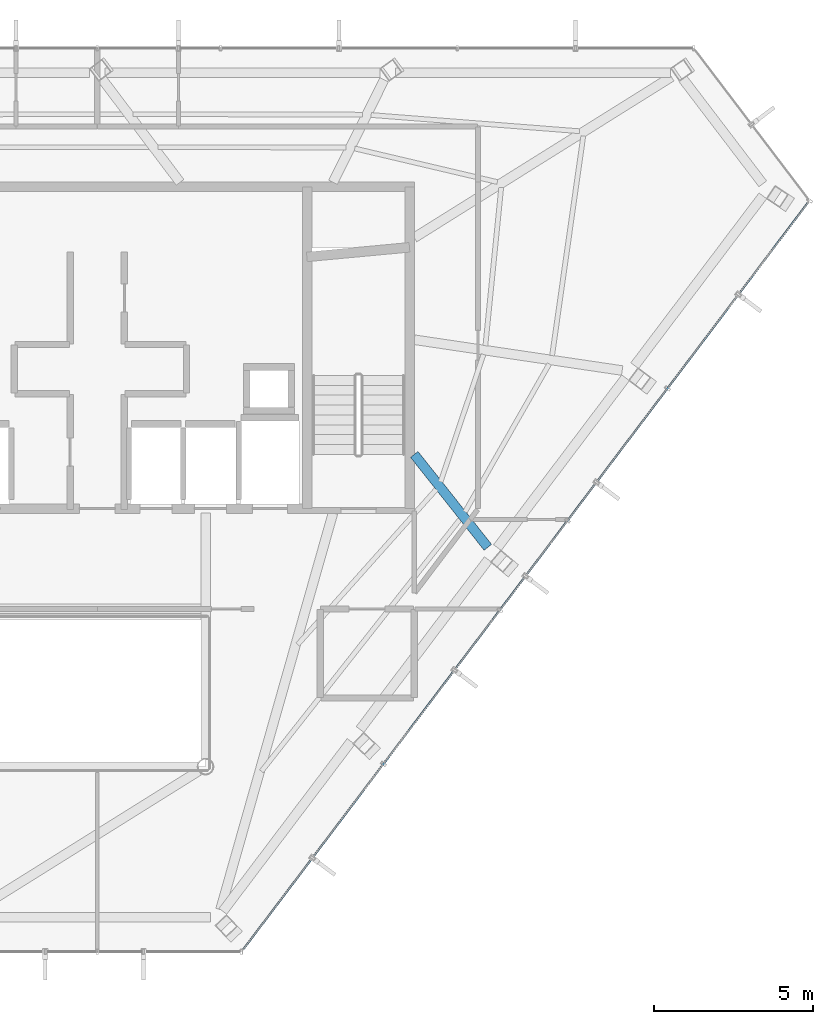
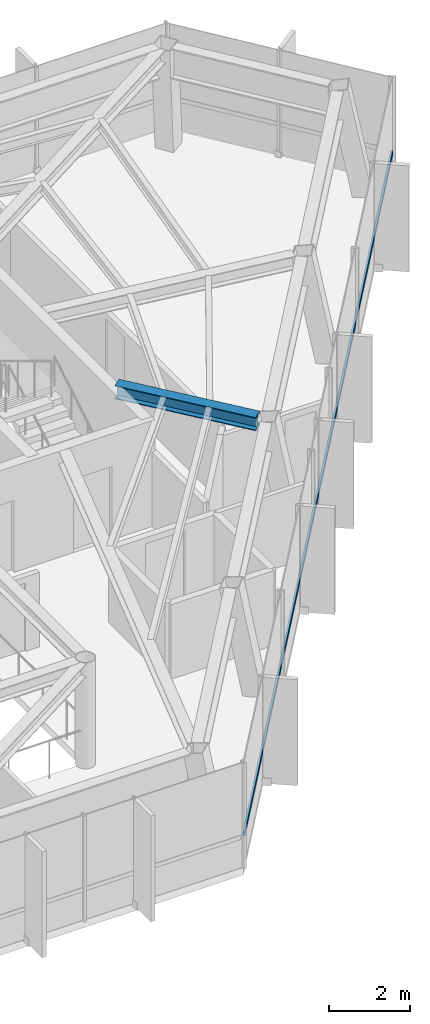
# One storey, part 17 of 25: 1 beam, 1 member, 1 element without a shape of its own.
"""IFC4 building model written with IfcOpenShell, lengths in metres."""

from ifc_helpers import new_model, si_unit, direction, frame, origin, origin_2d, place, context, subcontext, project, spatial, hollow_rectangle, i_section, extrude, material, layer, layer_set, material_profile, profile_set, type_object, element, aggregate, save


model = new_model("IFC4")

# Units and contexts
model_context = context("Model", 3, precision=1e-05, world=origin(), true_north=direction((0.0, 1.0)))
body_context = subcontext(model_context, "Body", "Model", "MODEL_VIEW")
ifc_project = project(units=[si_unit("LENGTHUNIT", "METRE"), si_unit("AREAUNIT", "SQUARE_METRE"), si_unit("VOLUMEUNIT", "CUBIC_METRE"), si_unit("PLANEANGLEUNIT", "RADIAN"), si_unit("MASSUNIT", "GRAM", prefix="KILO")], contexts=[model_context])

# Site, building, storey
site_placement = place(None, origin())
site = spatial("IfcSite", under=ifc_project, at=site_placement, CompositionType="ELEMENT")
building_placement = place(site_placement, origin())
building = spatial("IfcBuilding", under=site, at=building_placement, Name="Zarrinselat Tower", CompositionType="ELEMENT")
storey_placement = place(building_placement, frame((0.0, 0.0, 275.39990234375)))
storey = spatial("IfcBuildingStorey", under=building, at=storey_placement, Name="L70", CompositionType="ELEMENT", Elevation=275.39990234375)

# Beam
ifc_material_1 = material(Name="Steel S355J2", Category="steel")
ifc_material_profile_1 = material_profile(ifc_material_1, i_section(OverallWidth=0.300048828125, OverallDepth=0.39990234375, WebThickness=0.013427734375, FlangeThickness=0.02392578125, at=origin_2d()), Name="HEB 400")
ifc_profile_set_1 = profile_set([ifc_material_profile_1], Name="Steel S355J2")
beam_type = type_object("IfcBeamType", Name="BM-HEB400", PredefinedType="BEAM", material=ifc_profile_set_1)
beam_placement = place(storey_placement, frame((48.35009765625, 35.0, 2.97998046875), z_axis=(0.620998732892, -0.783811567755, 0.0), x_axis=(0.783811567755, 0.620998732892, 0.0)))
element("IfcBeam", 1, at=beam_placement, inside=storey, type_object=beam_type, Name="L70 Radial Primary Girder RG13", PredefinedType="BEAM", context=body_context, shape_type="SweptSolid", body=[
    extrude(i_section(OverallWidth=0.300048828125, OverallDepth=0.39990234375, WebThickness=0.013427734375, FlangeThickness=0.02392578125, at=origin_2d()), origin(), (0.0, 0.0, 1.0), 3.72021484375),
])

# Curtain wall, member
ifc_material_2 = material(Name="Extruded Aluminium Alloy EN AW-6063 T6", Category="aluminium")
ifc_layer = layer(ifc_material_2, 0.199951171875)
ifc_layer_set = layer_set([ifc_layer], Name="Extruded Aluminium Alloy EN AW-6063 T6")
curtain_wall_type = type_object("IfcCurtainWallType", Name="CWS-BLADE", PredefinedType="NOTDEFINED", material=ifc_layer_set)
curtain_wall_placement = place(storey_placement, origin())
curtain_wall = element("IfcCurtainWall", 2, at=curtain_wall_placement, inside=storey, type_object=curtain_wall_type, Name="L70 Unitised Curtain Wall CW-L70-E05", PredefinedType="NOTDEFINED")
ifc_material_3 = material(Name="Extruded Aluminium Alloy EN AW-6063 T6", Category="aluminium")
ifc_material_profile_2 = material_profile(ifc_material_3, hollow_rectangle(XDim=0.06005859375, YDim=0.139892578125, WallThickness=0.00390625, at=origin_2d()), Name="RHS 140x60x4")
ifc_profile_set_2 = profile_set([ifc_material_profile_2], Name="Extruded Aluminium Alloy EN AW-6063 T6")
member_type = type_object("IfcMemberType", Name="MEM-CW-TRN", PredefinedType="USERDEFINED", material=ifc_profile_set_2)
member_placement = place(storey_placement, frame((42.9814453125, 19.459716796875, 0.9501953125), z_axis=(0.603166040735, 0.797615651366, 0.0), x_axis=(-0.797615651366, 0.603166040735, 0.0)))
member = element("IfcMember", 3, at=member_placement, type_object=member_type, Name="CW-L70-E05 Transom 1", ObjectType="TRANSOM", PredefinedType="USERDEFINED", context=body_context, shape_type="SweptSolid", body=[
    extrude(hollow_rectangle(XDim=0.06005859375, YDim=0.139892578125, WallThickness=0.00390625, at=origin_2d()), origin(), (0.0, 0.0, 1.0), 29.38232421875),
])
aggregate(curtain_wall, [member])

save(model, "model.ifc")
